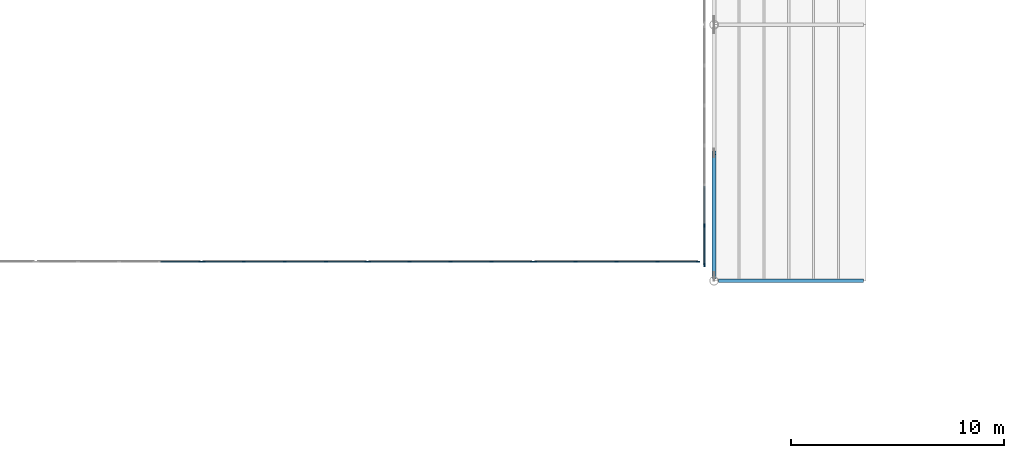
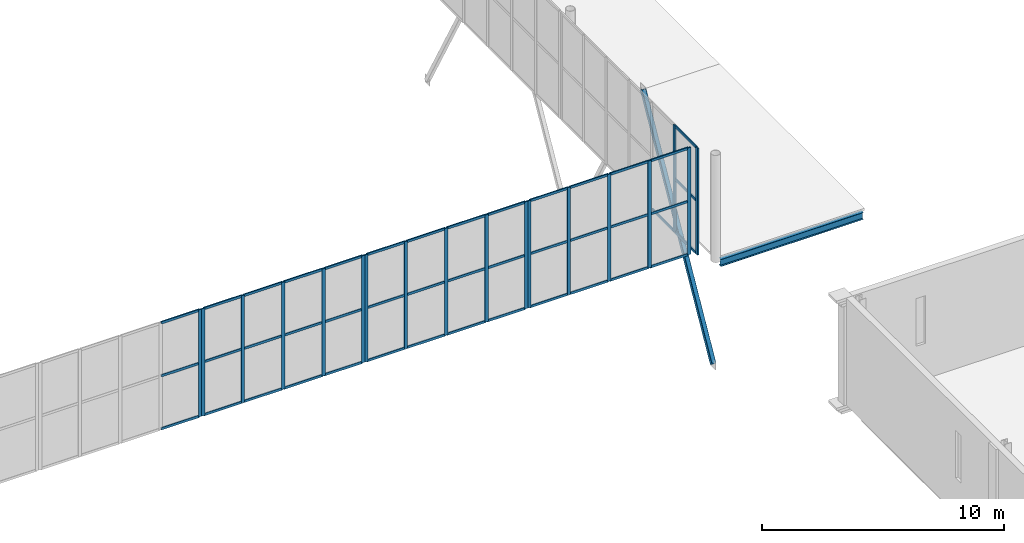
# One storey, part 53 of 170: 62 members, 1 beam, 5 elements without a shape of their own.
"""IFC4 building model written with IfcOpenShell, lengths in metres."""

from ifc_helpers import new_model, si_unit, direction, frame, origin, origin_2d, place, context, subcontext, project, spatial, rectangle, hollow_rectangle, i_section, extrude, material, layer, layer_set, material_profile, profile_set, type_object, element, aggregate, save


model = new_model("IFC4")

# Units and contexts
model_context = context("Model", 3, precision=1e-05, world=origin(), true_north=direction((0.0, 1.0)))
body_context = subcontext(model_context, "Body", "Model", "MODEL_VIEW")
ifc_project = project(units=[si_unit("LENGTHUNIT", "METRE"), si_unit("AREAUNIT", "SQUARE_METRE"), si_unit("VOLUMEUNIT", "CUBIC_METRE"), si_unit("PLANEANGLEUNIT", "RADIAN"), si_unit("MASSUNIT", "GRAM", prefix="KILO")], contexts=[model_context])

# Site, building, storey
site_placement = place(None, origin())
site = spatial("IfcSite", under=ifc_project, at=site_placement, CompositionType="ELEMENT")
building_placement = place(site_placement, origin())
building = spatial("IfcBuilding", under=site, at=building_placement, Name="Ravi Spectrum Wholesale Market", CompositionType="ELEMENT")
storey_placement = place(building_placement, frame((0.0, 0.0, 5.39990234375)))
storey = spatial("IfcBuildingStorey", under=building, at=storey_placement, Name="L01", CompositionType="ELEMENT", Elevation=5.39990234375)

# Beam
ifc_material_1 = material(Name="Steel S355", Category="steel")
ifc_material_profile_1 = material_profile(ifc_material_1, i_section(OverallWidth=0.169921875, OverallDepth=0.360107421875, WebThickness=0.008056640625, FlangeThickness=0.0126953125, at=origin_2d()))
ifc_profile_set_1 = profile_set([ifc_material_profile_1], Name="Steel S355")
beam_type = type_object("IfcBeamType", Name="IPE 360 beam", PredefinedType="BEAM", material=ifc_profile_set_1)
beam_placement = place(storey_placement, frame((198.203125, 78.0, -0.179931640625), z_axis=(1.0, 0.0, 0.0), x_axis=(0.0, 1.0, 0.0)))
element("IfcBeam", 1, at=beam_placement, inside=storey, type_object=beam_type, Name="H2-BM-L01-038", PredefinedType="BEAM", context=body_context, shape_type="SweptSolid", body=[
    extrude(i_section(OverallWidth=0.169921875, OverallDepth=0.360107421875, WebThickness=0.008056640625, FlangeThickness=0.0126953125, at=origin_2d()), origin(), (0.0, 0.0, 1.0), 6.796875),
])

# Curtain wall, members
ifc_material_2 = material(Name="Aluminium 6063-T6", Category="aluminium")
ifc_layer = layer(ifc_material_2, 0.14990234375)
ifc_layer_set = layer_set([ifc_layer], Name="Aluminium 6063-T6")
curtain_wall_type = type_object("IfcCurtainWallType", Name="Curtain wall 150", PredefinedType="NOTDEFINED", material=ifc_layer_set)
curtain_wall_1_placement = place(storey_placement, origin())
curtain_wall_1 = element("IfcCurtainWall", 2, at=curtain_wall_1_placement, inside=storey, type_object=curtain_wall_type, Name="H2-CW-L01-005", PredefinedType="NOTDEFINED")
ifc_material_3 = material(Name="Aluminium 6063-T6", Category="aluminium")
ifc_material_profile_2 = material_profile(ifc_material_3, rectangle(XDim=0.06005859375, YDim=0.159912109375, at=origin_2d()))
ifc_profile_set_2 = profile_set([ifc_material_profile_2], Name="Aluminium 6063-T6")
member_type_1 = type_object("IfcMemberType", Name="Mullion 60 x 160", PredefinedType="MULLION", material=ifc_profile_set_2)
member_1_placement = place(storey_placement, frame((197.546875, 78.739990234375, 0.0), z_axis=(0.0, 0.0, 1.0), x_axis=(-1.0, 0.0, 0.0)))
member_1 = element("IfcMember", 3, at=member_1_placement, type_object=member_type_1, Name="H2-CW-L01-005 mullion 1", PredefinedType="MULLION", context=body_context, shape_type="SweptSolid", body=[
    extrude(rectangle(XDim=0.06005859375, YDim=0.159912109375, at=origin_2d()), origin(), (0.0, 0.0, 1.0), 5.400146484375),
])
member_2_placement = place(storey_placement, frame((197.546875, 80.5849609375, 0.0), z_axis=(0.0, 0.0, 1.0), x_axis=(-1.0, 0.0, 0.0)))
member_2 = element("IfcMember", 4, at=member_2_placement, type_object=member_type_1, Name="H2-CW-L01-005 mullion 2", PredefinedType="MULLION", context=body_context, shape_type="SweptSolid", body=[
    extrude(rectangle(XDim=0.06005859375, YDim=0.159912109375, at=origin_2d()), origin(), (0.0, 0.0, 1.0), 5.400146484375),
])

# Curtain wall, member
curtain_wall_2_placement = place(storey_placement, origin())
curtain_wall_2 = element("IfcCurtainWall", 5, at=curtain_wall_2_placement, inside=storey, type_object=curtain_wall_type, Name="H2-CW-L01-011", PredefinedType="NOTDEFINED")
member_3_placement = place(storey_placement, frame((173.929931640625, 78.89990234375, 0.0), z_axis=(0.0, 0.0, 1.0), x_axis=(0.0, 1.0, 0.0)))
member_3 = element("IfcMember", 6, at=member_3_placement, type_object=member_type_1, Name="H2-CW-L01-011 mullion 5", PredefinedType="MULLION", context=body_context, shape_type="SweptSolid", body=[
    extrude(rectangle(XDim=0.06005859375, YDim=0.159912109375, at=origin_2d()), origin(), (0.0, 0.0, 1.0), 5.400146484375),
])

# Curtain wall, members
curtain_wall_3_placement = place(storey_placement, origin())
curtain_wall_3 = element("IfcCurtainWall", 7, at=curtain_wall_3_placement, inside=storey, type_object=curtain_wall_type, Name="H2-CW-L01-012", PredefinedType="NOTDEFINED")
member_4_placement = place(storey_placement, frame((174.070068359375, 78.89990234375, 0.0), z_axis=(0.0, 0.0, 1.0), x_axis=(0.0, 1.0, 0.0)))
member_4 = element("IfcMember", 8, at=member_4_placement, type_object=member_type_1, Name="H2-CW-L01-012 mullion 1", PredefinedType="MULLION", context=body_context, shape_type="SweptSolid", body=[
    extrude(rectangle(XDim=0.06005859375, YDim=0.159912109375, at=origin_2d()), origin(), (0.0, 0.0, 1.0), 5.400146484375),
])
member_5_placement = place(storey_placement, frame((175.963134765625, 78.89990234375, 0.0), z_axis=(0.0, 0.0, 1.0), x_axis=(0.0, 1.0, 0.0)))
member_5 = element("IfcMember", 9, at=member_5_placement, type_object=member_type_1, Name="H2-CW-L01-012 mullion 2", PredefinedType="MULLION", context=body_context, shape_type="SweptSolid", body=[
    extrude(rectangle(XDim=0.06005859375, YDim=0.159912109375, at=origin_2d()), origin(), (0.0, 0.0, 1.0), 5.400146484375),
])
member_6_placement = place(storey_placement, frame((177.88623046875, 78.89990234375, 0.0), z_axis=(0.0, 0.0, 1.0), x_axis=(0.0, 1.0, 0.0)))
member_6 = element("IfcMember", 10, at=member_6_placement, type_object=member_type_1, Name="H2-CW-L01-012 mullion 3", PredefinedType="MULLION", context=body_context, shape_type="SweptSolid", body=[
    extrude(rectangle(XDim=0.06005859375, YDim=0.159912109375, at=origin_2d()), origin(), (0.0, 0.0, 1.0), 5.400146484375),
])
member_7_placement = place(storey_placement, frame((179.80908203125, 78.89990234375, 0.0), z_axis=(0.0, 0.0, 1.0), x_axis=(0.0, 1.0, 0.0)))
member_7 = element("IfcMember", 11, at=member_7_placement, type_object=member_type_1, Name="H2-CW-L01-012 mullion 4", PredefinedType="MULLION", context=body_context, shape_type="SweptSolid", body=[
    extrude(rectangle(XDim=0.06005859375, YDim=0.159912109375, at=origin_2d()), origin(), (0.0, 0.0, 1.0), 5.400146484375),
])
member_8_placement = place(storey_placement, frame((181.7021484375, 78.89990234375, 0.0), z_axis=(0.0, 0.0, 1.0), x_axis=(0.0, 1.0, 0.0)))
member_8 = element("IfcMember", 12, at=member_8_placement, type_object=member_type_1, Name="H2-CW-L01-012 mullion 5", PredefinedType="MULLION", context=body_context, shape_type="SweptSolid", body=[
    extrude(rectangle(XDim=0.06005859375, YDim=0.159912109375, at=origin_2d()), origin(), (0.0, 0.0, 1.0), 5.400146484375),
])

curtain_wall_4_placement = place(storey_placement, origin())
curtain_wall_4 = element("IfcCurtainWall", 13, at=curtain_wall_4_placement, inside=storey, type_object=curtain_wall_type, Name="H2-CW-L01-013", PredefinedType="NOTDEFINED")
member_9_placement = place(storey_placement, frame((181.84228515625, 78.89990234375, 0.0), z_axis=(0.0, 0.0, 1.0), x_axis=(0.0, 1.0, 0.0)))
member_9 = element("IfcMember", 14, at=member_9_placement, type_object=member_type_1, Name="H2-CW-L01-013 mullion 1", PredefinedType="MULLION", context=body_context, shape_type="SweptSolid", body=[
    extrude(rectangle(XDim=0.06005859375, YDim=0.159912109375, at=origin_2d()), origin(), (0.0, 0.0, 1.0), 5.400146484375),
])
member_10_placement = place(storey_placement, frame((183.7353515625, 78.89990234375, 0.0), z_axis=(0.0, 0.0, 1.0), x_axis=(0.0, 1.0, 0.0)))
member_10 = element("IfcMember", 15, at=member_10_placement, type_object=member_type_1, Name="H2-CW-L01-013 mullion 2", PredefinedType="MULLION", context=body_context, shape_type="SweptSolid", body=[
    extrude(rectangle(XDim=0.06005859375, YDim=0.159912109375, at=origin_2d()), origin(), (0.0, 0.0, 1.0), 5.400146484375),
])
member_11_placement = place(storey_placement, frame((185.658447265625, 78.89990234375, 0.0), z_axis=(0.0, 0.0, 1.0), x_axis=(0.0, 1.0, 0.0)))
member_11 = element("IfcMember", 16, at=member_11_placement, type_object=member_type_1, Name="H2-CW-L01-013 mullion 3", PredefinedType="MULLION", context=body_context, shape_type="SweptSolid", body=[
    extrude(rectangle(XDim=0.06005859375, YDim=0.159912109375, at=origin_2d()), origin(), (0.0, 0.0, 1.0), 5.400146484375),
])
member_12_placement = place(storey_placement, frame((187.58154296875, 78.89990234375, 0.0), z_axis=(0.0, 0.0, 1.0), x_axis=(0.0, 1.0, 0.0)))
member_12 = element("IfcMember", 17, at=member_12_placement, type_object=member_type_1, Name="H2-CW-L01-013 mullion 4", PredefinedType="MULLION", context=body_context, shape_type="SweptSolid", body=[
    extrude(rectangle(XDim=0.06005859375, YDim=0.159912109375, at=origin_2d()), origin(), (0.0, 0.0, 1.0), 5.400146484375),
])
member_13_placement = place(storey_placement, frame((189.474609375, 78.89990234375, 0.0), z_axis=(0.0, 0.0, 1.0), x_axis=(0.0, 1.0, 0.0)))
member_13 = element("IfcMember", 18, at=member_13_placement, type_object=member_type_1, Name="H2-CW-L01-013 mullion 5", PredefinedType="MULLION", context=body_context, shape_type="SweptSolid", body=[
    extrude(rectangle(XDim=0.06005859375, YDim=0.159912109375, at=origin_2d()), origin(), (0.0, 0.0, 1.0), 5.400146484375),
])

curtain_wall_5_placement = place(storey_placement, origin())
curtain_wall_5 = element("IfcCurtainWall", 19, at=curtain_wall_5_placement, inside=storey, type_object=curtain_wall_type, Name="H2-CW-L01-014", PredefinedType="NOTDEFINED")
member_14_placement = place(storey_placement, frame((189.614501953125, 78.89990234375, 0.0), z_axis=(0.0, 0.0, 1.0), x_axis=(0.0, 1.0, 0.0)))
member_14 = element("IfcMember", 20, at=member_14_placement, type_object=member_type_1, Name="H2-CW-L01-014 mullion 1", PredefinedType="MULLION", context=body_context, shape_type="SweptSolid", body=[
    extrude(rectangle(XDim=0.06005859375, YDim=0.159912109375, at=origin_2d()), origin(), (0.0, 0.0, 1.0), 5.400146484375),
])
member_15_placement = place(storey_placement, frame((191.507568359375, 78.89990234375, 0.0), z_axis=(0.0, 0.0, 1.0), x_axis=(0.0, 1.0, 0.0)))
member_15 = element("IfcMember", 21, at=member_15_placement, type_object=member_type_1, Name="H2-CW-L01-014 mullion 2", PredefinedType="MULLION", context=body_context, shape_type="SweptSolid", body=[
    extrude(rectangle(XDim=0.06005859375, YDim=0.159912109375, at=origin_2d()), origin(), (0.0, 0.0, 1.0), 5.400146484375),
])
member_16_placement = place(storey_placement, frame((193.4306640625, 78.89990234375, 0.0), z_axis=(0.0, 0.0, 1.0), x_axis=(0.0, 1.0, 0.0)))
member_16 = element("IfcMember", 22, at=member_16_placement, type_object=member_type_1, Name="H2-CW-L01-014 mullion 3", PredefinedType="MULLION", context=body_context, shape_type="SweptSolid", body=[
    extrude(rectangle(XDim=0.06005859375, YDim=0.159912109375, at=origin_2d()), origin(), (0.0, 0.0, 1.0), 5.400146484375),
])
member_17_placement = place(storey_placement, frame((195.353759765625, 78.89990234375, 0.0), z_axis=(0.0, 0.0, 1.0), x_axis=(0.0, 1.0, 0.0)))
member_17 = element("IfcMember", 23, at=member_17_placement, type_object=member_type_1, Name="H2-CW-L01-014 mullion 4", PredefinedType="MULLION", context=body_context, shape_type="SweptSolid", body=[
    extrude(rectangle(XDim=0.06005859375, YDim=0.159912109375, at=origin_2d()), origin(), (0.0, 0.0, 1.0), 5.400146484375),
])
member_18_placement = place(storey_placement, frame((197.246826171875, 78.89990234375, 0.0), z_axis=(0.0, 0.0, 1.0), x_axis=(0.0, 1.0, 0.0)))
member_18 = element("IfcMember", 24, at=member_18_placement, type_object=member_type_1, Name="H2-CW-L01-014 mullion 5", PredefinedType="MULLION", context=body_context, shape_type="SweptSolid", body=[
    extrude(rectangle(XDim=0.06005859375, YDim=0.159912109375, at=origin_2d()), origin(), (0.0, 0.0, 1.0), 5.400146484375),
])

# Member
ifc_material_4 = material(Name="Steel S355", Category="steel")
ifc_material_profile_3 = material_profile(ifc_material_4, hollow_rectangle(XDim=0.199951171875, YDim=0.199951171875, WallThickness=0.008056640625, InnerFilletRadius=0.008056640625, OuterFilletRadius=0.01611328125, at=origin_2d()))
ifc_profile_set_3 = profile_set([ifc_material_profile_3], Name="Steel S355")
member_type_2 = type_object("IfcMemberType", Name="SHS 200x200x8 brace", PredefinedType="BRACE", material=ifc_profile_set_3)
member_19_placement = place(storey_placement, frame((198.0, 78.203125, -5.3505859375), z_axis=(0.0, 0.489534756708, 0.871983785385), x_axis=(-1.0, 0.0, 0.0)))
element("IfcMember", 25, at=member_19_placement, inside=storey, type_object=member_type_2, Name="H2-MB-L01-005", PredefinedType="BRACE", context=body_context, shape_type="SweptSolid", body=[
    extrude(hollow_rectangle(XDim=0.199951171875, YDim=0.199951171875, WallThickness=0.008056640625, InnerFilletRadius=0.008056640625, OuterFilletRadius=0.01611328125, at=origin_2d()), origin(), (0.0, 0.0, 1.0), 11.841552734375),
])

ifc_material_5 = material(Name="Aluminium 6063-T6", Category="aluminium")
ifc_material_profile_4 = material_profile(ifc_material_5, rectangle(XDim=0.06005859375, YDim=0.1201171875, at=origin_2d()))
ifc_profile_set_4 = profile_set([ifc_material_profile_4], Name="Aluminium 6063-T6")
member_type_3 = type_object("IfcMemberType", Name="Transom 60 x 120", PredefinedType="USERDEFINED", material=ifc_profile_set_4)
member_20_placement = place(storey_placement, frame((197.546875, 78.77001953125, 0.030029296875), z_axis=(0.0, 1.0, 0.0), x_axis=(-1.0, 0.0, 0.0)))
member_20 = element("IfcMember", 26, at=member_20_placement, type_object=member_type_3, Name="H2-CW-L01-005 transom 1.1", ObjectType="TRANSOM", PredefinedType="USERDEFINED", context=body_context, shape_type="SweptSolid", body=[
    extrude(rectangle(XDim=0.06005859375, YDim=0.1201171875, at=origin_2d()), origin(), (0.0, 0.0, 1.0), 1.784912109375),
])

member_21_placement = place(storey_placement, frame((197.546875, 78.77001953125, 2.7001953125), z_axis=(0.0, 1.0, 0.0), x_axis=(-1.0, 0.0, 0.0)))
member_21 = element("IfcMember", 27, at=member_21_placement, type_object=member_type_3, Name="H2-CW-L01-005 transom 1.2", ObjectType="TRANSOM", PredefinedType="USERDEFINED", context=body_context, shape_type="SweptSolid", body=[
    extrude(rectangle(XDim=0.06005859375, YDim=0.1201171875, at=origin_2d()), origin(), (0.0, 0.0, 1.0), 1.784912109375),
])

member_22_placement = place(storey_placement, frame((197.546875, 78.77001953125, 5.3701171875), z_axis=(0.0, 1.0, 0.0), x_axis=(-1.0, 0.0, 0.0)))
member_22 = element("IfcMember", 28, at=member_22_placement, type_object=member_type_3, Name="H2-CW-L01-005 transom 1.3", ObjectType="TRANSOM", PredefinedType="USERDEFINED", context=body_context, shape_type="SweptSolid", body=[
    extrude(rectangle(XDim=0.06005859375, YDim=0.1201171875, at=origin_2d()), origin(), (0.0, 0.0, 1.0), 1.784912109375),
])

member_23_placement = place(storey_placement, frame((197.546875, 80.614990234375, 0.030029296875), z_axis=(0.0, 1.0, 0.0), x_axis=(-1.0, 0.0, 0.0)))
member_23 = element("IfcMember", 29, at=member_23_placement, type_object=member_type_3, Name="H2-CW-L01-005 transom 2.1", ObjectType="TRANSOM", PredefinedType="USERDEFINED", context=body_context, shape_type="SweptSolid", body=[
    extrude(rectangle(XDim=0.06005859375, YDim=0.1201171875, at=origin_2d()), origin(), (0.0, 0.0, 1.0), 1.81494140625),
])

aggregate(curtain_wall_1, [member_1, member_2, member_20, member_21, member_22, member_23])

member_24_placement = place(storey_placement, frame((172.06689453125, 78.89990234375, 0.030029296875), z_axis=(1.0, 0.0, 0.0), x_axis=(0.0, 1.0, 0.0)))
member_24 = element("IfcMember", 30, at=member_24_placement, type_object=member_type_3, Name="H2-CW-L01-011 transom 4.1", ObjectType="TRANSOM", PredefinedType="USERDEFINED", context=body_context, shape_type="SweptSolid", body=[
    extrude(rectangle(XDim=0.06005859375, YDim=0.1201171875, at=origin_2d()), origin(), (0.0, 0.0, 1.0), 1.8330078125),
])

member_25_placement = place(storey_placement, frame((172.06689453125, 78.89990234375, 2.7001953125), z_axis=(1.0, 0.0, 0.0), x_axis=(0.0, 1.0, 0.0)))
member_25 = element("IfcMember", 31, at=member_25_placement, type_object=member_type_3, Name="H2-CW-L01-011 transom 4.2", ObjectType="TRANSOM", PredefinedType="USERDEFINED", context=body_context, shape_type="SweptSolid", body=[
    extrude(rectangle(XDim=0.06005859375, YDim=0.1201171875, at=origin_2d()), origin(), (0.0, 0.0, 1.0), 1.8330078125),
])

member_26_placement = place(storey_placement, frame((172.06689453125, 78.89990234375, 5.3701171875), z_axis=(1.0, 0.0, 0.0), x_axis=(0.0, 1.0, 0.0)))
member_26 = element("IfcMember", 32, at=member_26_placement, type_object=member_type_3, Name="H2-CW-L01-011 transom 4.3", ObjectType="TRANSOM", PredefinedType="USERDEFINED", context=body_context, shape_type="SweptSolid", body=[
    extrude(rectangle(XDim=0.06005859375, YDim=0.1201171875, at=origin_2d()), origin(), (0.0, 0.0, 1.0), 1.8330078125),
])

aggregate(curtain_wall_2, [member_3, member_24, member_25, member_26])

member_27_placement = place(storey_placement, frame((174.10009765625, 78.89990234375, 0.030029296875), z_axis=(1.0, 0.0, 0.0), x_axis=(0.0, 1.0, 0.0)))
member_27 = element("IfcMember", 33, at=member_27_placement, type_object=member_type_3, Name="H2-CW-L01-012 transom 1.1", ObjectType="TRANSOM", PredefinedType="USERDEFINED", context=body_context, shape_type="SweptSolid", body=[
    extrude(rectangle(XDim=0.06005859375, YDim=0.1201171875, at=origin_2d()), origin(), (0.0, 0.0, 1.0), 1.8330078125),
])

member_28_placement = place(storey_placement, frame((174.10009765625, 78.89990234375, 2.7001953125), z_axis=(1.0, 0.0, 0.0), x_axis=(0.0, 1.0, 0.0)))
member_28 = element("IfcMember", 34, at=member_28_placement, type_object=member_type_3, Name="H2-CW-L01-012 transom 1.2", ObjectType="TRANSOM", PredefinedType="USERDEFINED", context=body_context, shape_type="SweptSolid", body=[
    extrude(rectangle(XDim=0.06005859375, YDim=0.1201171875, at=origin_2d()), origin(), (0.0, 0.0, 1.0), 1.8330078125),
])

member_29_placement = place(storey_placement, frame((174.10009765625, 78.89990234375, 5.3701171875), z_axis=(1.0, 0.0, 0.0), x_axis=(0.0, 1.0, 0.0)))
member_29 = element("IfcMember", 35, at=member_29_placement, type_object=member_type_3, Name="H2-CW-L01-012 transom 1.3", ObjectType="TRANSOM", PredefinedType="USERDEFINED", context=body_context, shape_type="SweptSolid", body=[
    extrude(rectangle(XDim=0.06005859375, YDim=0.1201171875, at=origin_2d()), origin(), (0.0, 0.0, 1.0), 1.8330078125),
])

member_30_placement = place(storey_placement, frame((175.9931640625, 78.89990234375, 0.030029296875), z_axis=(1.0, 0.0, 0.0), x_axis=(0.0, 1.0, 0.0)))
member_30 = element("IfcMember", 36, at=member_30_placement, type_object=member_type_3, Name="H2-CW-L01-012 transom 2.1", ObjectType="TRANSOM", PredefinedType="USERDEFINED", context=body_context, shape_type="SweptSolid", body=[
    extrude(rectangle(XDim=0.06005859375, YDim=0.1201171875, at=origin_2d()), origin(), (0.0, 0.0, 1.0), 1.863037109375),
])

member_31_placement = place(storey_placement, frame((175.9931640625, 78.89990234375, 2.7001953125), z_axis=(1.0, 0.0, 0.0), x_axis=(0.0, 1.0, 0.0)))
member_31 = element("IfcMember", 37, at=member_31_placement, type_object=member_type_3, Name="H2-CW-L01-012 transom 2.2", ObjectType="TRANSOM", PredefinedType="USERDEFINED", context=body_context, shape_type="SweptSolid", body=[
    extrude(rectangle(XDim=0.06005859375, YDim=0.1201171875, at=origin_2d()), origin(), (0.0, 0.0, 1.0), 1.863037109375),
])

member_32_placement = place(storey_placement, frame((175.9931640625, 78.89990234375, 5.3701171875), z_axis=(1.0, 0.0, 0.0), x_axis=(0.0, 1.0, 0.0)))
member_32 = element("IfcMember", 38, at=member_32_placement, type_object=member_type_3, Name="H2-CW-L01-012 transom 2.3", ObjectType="TRANSOM", PredefinedType="USERDEFINED", context=body_context, shape_type="SweptSolid", body=[
    extrude(rectangle(XDim=0.06005859375, YDim=0.1201171875, at=origin_2d()), origin(), (0.0, 0.0, 1.0), 1.863037109375),
])

member_33_placement = place(storey_placement, frame((177.916015625, 78.89990234375, 0.030029296875), z_axis=(1.0, 0.0, 0.0), x_axis=(0.0, 1.0, 0.0)))
member_33 = element("IfcMember", 39, at=member_33_placement, type_object=member_type_3, Name="H2-CW-L01-012 transom 3.1", ObjectType="TRANSOM", PredefinedType="USERDEFINED", context=body_context, shape_type="SweptSolid", body=[
    extrude(rectangle(XDim=0.06005859375, YDim=0.1201171875, at=origin_2d()), origin(), (0.0, 0.0, 1.0), 1.86328125),
])

member_34_placement = place(storey_placement, frame((177.916015625, 78.89990234375, 2.7001953125), z_axis=(1.0, 0.0, 0.0), x_axis=(0.0, 1.0, 0.0)))
member_34 = element("IfcMember", 40, at=member_34_placement, type_object=member_type_3, Name="H2-CW-L01-012 transom 3.2", ObjectType="TRANSOM", PredefinedType="USERDEFINED", context=body_context, shape_type="SweptSolid", body=[
    extrude(rectangle(XDim=0.06005859375, YDim=0.1201171875, at=origin_2d()), origin(), (0.0, 0.0, 1.0), 1.86328125),
])

member_35_placement = place(storey_placement, frame((177.916015625, 78.89990234375, 5.3701171875), z_axis=(1.0, 0.0, 0.0), x_axis=(0.0, 1.0, 0.0)))
member_35 = element("IfcMember", 41, at=member_35_placement, type_object=member_type_3, Name="H2-CW-L01-012 transom 3.3", ObjectType="TRANSOM", PredefinedType="USERDEFINED", context=body_context, shape_type="SweptSolid", body=[
    extrude(rectangle(XDim=0.06005859375, YDim=0.1201171875, at=origin_2d()), origin(), (0.0, 0.0, 1.0), 1.86328125),
])

member_36_placement = place(storey_placement, frame((179.839111328125, 78.89990234375, 0.030029296875), z_axis=(1.0, 0.0, 0.0), x_axis=(0.0, 1.0, 0.0)))
member_36 = element("IfcMember", 42, at=member_36_placement, type_object=member_type_3, Name="H2-CW-L01-012 transom 4.1", ObjectType="TRANSOM", PredefinedType="USERDEFINED", context=body_context, shape_type="SweptSolid", body=[
    extrude(rectangle(XDim=0.06005859375, YDim=0.1201171875, at=origin_2d()), origin(), (0.0, 0.0, 1.0), 1.833251953125),
])

member_37_placement = place(storey_placement, frame((179.839111328125, 78.89990234375, 2.7001953125), z_axis=(1.0, 0.0, 0.0), x_axis=(0.0, 1.0, 0.0)))
member_37 = element("IfcMember", 43, at=member_37_placement, type_object=member_type_3, Name="H2-CW-L01-012 transom 4.2", ObjectType="TRANSOM", PredefinedType="USERDEFINED", context=body_context, shape_type="SweptSolid", body=[
    extrude(rectangle(XDim=0.06005859375, YDim=0.1201171875, at=origin_2d()), origin(), (0.0, 0.0, 1.0), 1.833251953125),
])

member_38_placement = place(storey_placement, frame((179.839111328125, 78.89990234375, 5.3701171875), z_axis=(1.0, 0.0, 0.0), x_axis=(0.0, 1.0, 0.0)))
member_38 = element("IfcMember", 44, at=member_38_placement, type_object=member_type_3, Name="H2-CW-L01-012 transom 4.3", ObjectType="TRANSOM", PredefinedType="USERDEFINED", context=body_context, shape_type="SweptSolid", body=[
    extrude(rectangle(XDim=0.06005859375, YDim=0.1201171875, at=origin_2d()), origin(), (0.0, 0.0, 1.0), 1.833251953125),
])

aggregate(curtain_wall_3, [member_4, member_5, member_6, member_7, member_8, member_27, member_28, member_29, member_30, member_31, member_32, member_33, member_34, member_35, member_36, member_37, member_38])

member_39_placement = place(storey_placement, frame((181.872314453125, 78.89990234375, 0.030029296875), z_axis=(1.0, 0.0, 0.0), x_axis=(0.0, 1.0, 0.0)))
member_39 = element("IfcMember", 45, at=member_39_placement, type_object=member_type_3, Name="H2-CW-L01-013 transom 1.1", ObjectType="TRANSOM", PredefinedType="USERDEFINED", context=body_context, shape_type="SweptSolid", body=[
    extrude(rectangle(XDim=0.06005859375, YDim=0.1201171875, at=origin_2d()), origin(), (0.0, 0.0, 1.0), 1.8330078125),
])

member_40_placement = place(storey_placement, frame((181.872314453125, 78.89990234375, 2.7001953125), z_axis=(1.0, 0.0, 0.0), x_axis=(0.0, 1.0, 0.0)))
member_40 = element("IfcMember", 46, at=member_40_placement, type_object=member_type_3, Name="H2-CW-L01-013 transom 1.2", ObjectType="TRANSOM", PredefinedType="USERDEFINED", context=body_context, shape_type="SweptSolid", body=[
    extrude(rectangle(XDim=0.06005859375, YDim=0.1201171875, at=origin_2d()), origin(), (0.0, 0.0, 1.0), 1.8330078125),
])

member_41_placement = place(storey_placement, frame((181.872314453125, 78.89990234375, 5.3701171875), z_axis=(1.0, 0.0, 0.0), x_axis=(0.0, 1.0, 0.0)))
member_41 = element("IfcMember", 47, at=member_41_placement, type_object=member_type_3, Name="H2-CW-L01-013 transom 1.3", ObjectType="TRANSOM", PredefinedType="USERDEFINED", context=body_context, shape_type="SweptSolid", body=[
    extrude(rectangle(XDim=0.06005859375, YDim=0.1201171875, at=origin_2d()), origin(), (0.0, 0.0, 1.0), 1.8330078125),
])

member_42_placement = place(storey_placement, frame((183.765380859375, 78.89990234375, 0.030029296875), z_axis=(1.0, 0.0, 0.0), x_axis=(0.0, 1.0, 0.0)))
member_42 = element("IfcMember", 48, at=member_42_placement, type_object=member_type_3, Name="H2-CW-L01-013 transom 2.1", ObjectType="TRANSOM", PredefinedType="USERDEFINED", context=body_context, shape_type="SweptSolid", body=[
    extrude(rectangle(XDim=0.06005859375, YDim=0.1201171875, at=origin_2d()), origin(), (0.0, 0.0, 1.0), 1.863037109375),
])

member_43_placement = place(storey_placement, frame((183.765380859375, 78.89990234375, 2.7001953125), z_axis=(1.0, 0.0, 0.0), x_axis=(0.0, 1.0, 0.0)))
member_43 = element("IfcMember", 49, at=member_43_placement, type_object=member_type_3, Name="H2-CW-L01-013 transom 2.2", ObjectType="TRANSOM", PredefinedType="USERDEFINED", context=body_context, shape_type="SweptSolid", body=[
    extrude(rectangle(XDim=0.06005859375, YDim=0.1201171875, at=origin_2d()), origin(), (0.0, 0.0, 1.0), 1.863037109375),
])

member_44_placement = place(storey_placement, frame((183.765380859375, 78.89990234375, 5.3701171875), z_axis=(1.0, 0.0, 0.0), x_axis=(0.0, 1.0, 0.0)))
member_44 = element("IfcMember", 50, at=member_44_placement, type_object=member_type_3, Name="H2-CW-L01-013 transom 2.3", ObjectType="TRANSOM", PredefinedType="USERDEFINED", context=body_context, shape_type="SweptSolid", body=[
    extrude(rectangle(XDim=0.06005859375, YDim=0.1201171875, at=origin_2d()), origin(), (0.0, 0.0, 1.0), 1.863037109375),
])

member_45_placement = place(storey_placement, frame((185.6884765625, 78.89990234375, 0.030029296875), z_axis=(1.0, 0.0, 0.0), x_axis=(0.0, 1.0, 0.0)))
member_45 = element("IfcMember", 51, at=member_45_placement, type_object=member_type_3, Name="H2-CW-L01-013 transom 3.1", ObjectType="TRANSOM", PredefinedType="USERDEFINED", context=body_context, shape_type="SweptSolid", body=[
    extrude(rectangle(XDim=0.06005859375, YDim=0.1201171875, at=origin_2d()), origin(), (0.0, 0.0, 1.0), 1.863037109375),
])

member_46_placement = place(storey_placement, frame((185.6884765625, 78.89990234375, 2.7001953125), z_axis=(1.0, 0.0, 0.0), x_axis=(0.0, 1.0, 0.0)))
member_46 = element("IfcMember", 52, at=member_46_placement, type_object=member_type_3, Name="H2-CW-L01-013 transom 3.2", ObjectType="TRANSOM", PredefinedType="USERDEFINED", context=body_context, shape_type="SweptSolid", body=[
    extrude(rectangle(XDim=0.06005859375, YDim=0.1201171875, at=origin_2d()), origin(), (0.0, 0.0, 1.0), 1.863037109375),
])

member_47_placement = place(storey_placement, frame((185.6884765625, 78.89990234375, 5.3701171875), z_axis=(1.0, 0.0, 0.0), x_axis=(0.0, 1.0, 0.0)))
member_47 = element("IfcMember", 53, at=member_47_placement, type_object=member_type_3, Name="H2-CW-L01-013 transom 3.3", ObjectType="TRANSOM", PredefinedType="USERDEFINED", context=body_context, shape_type="SweptSolid", body=[
    extrude(rectangle(XDim=0.06005859375, YDim=0.1201171875, at=origin_2d()), origin(), (0.0, 0.0, 1.0), 1.863037109375),
])

member_48_placement = place(storey_placement, frame((187.611572265625, 78.89990234375, 0.030029296875), z_axis=(1.0, 0.0, 0.0), x_axis=(0.0, 1.0, 0.0)))
member_48 = element("IfcMember", 54, at=member_48_placement, type_object=member_type_3, Name="H2-CW-L01-013 transom 4.1", ObjectType="TRANSOM", PredefinedType="USERDEFINED", context=body_context, shape_type="SweptSolid", body=[
    extrude(rectangle(XDim=0.06005859375, YDim=0.1201171875, at=origin_2d()), origin(), (0.0, 0.0, 1.0), 1.8330078125),
])

member_49_placement = place(storey_placement, frame((187.611572265625, 78.89990234375, 2.7001953125), z_axis=(1.0, 0.0, 0.0), x_axis=(0.0, 1.0, 0.0)))
member_49 = element("IfcMember", 55, at=member_49_placement, type_object=member_type_3, Name="H2-CW-L01-013 transom 4.2", ObjectType="TRANSOM", PredefinedType="USERDEFINED", context=body_context, shape_type="SweptSolid", body=[
    extrude(rectangle(XDim=0.06005859375, YDim=0.1201171875, at=origin_2d()), origin(), (0.0, 0.0, 1.0), 1.8330078125),
])

member_50_placement = place(storey_placement, frame((187.611572265625, 78.89990234375, 5.3701171875), z_axis=(1.0, 0.0, 0.0), x_axis=(0.0, 1.0, 0.0)))
member_50 = element("IfcMember", 56, at=member_50_placement, type_object=member_type_3, Name="H2-CW-L01-013 transom 4.3", ObjectType="TRANSOM", PredefinedType="USERDEFINED", context=body_context, shape_type="SweptSolid", body=[
    extrude(rectangle(XDim=0.06005859375, YDim=0.1201171875, at=origin_2d()), origin(), (0.0, 0.0, 1.0), 1.8330078125),
])

aggregate(curtain_wall_4, [member_9, member_10, member_11, member_12, member_13, member_39, member_40, member_41, member_42, member_43, member_44, member_45, member_46, member_47, member_48, member_49, member_50])

member_51_placement = place(storey_placement, frame((189.64453125, 78.89990234375, 0.030029296875), z_axis=(1.0, 0.0, 0.0), x_axis=(0.0, 1.0, 0.0)))
member_51 = element("IfcMember", 57, at=member_51_placement, type_object=member_type_3, Name="H2-CW-L01-014 transom 1.1", ObjectType="TRANSOM", PredefinedType="USERDEFINED", context=body_context, shape_type="SweptSolid", body=[
    extrude(rectangle(XDim=0.06005859375, YDim=0.1201171875, at=origin_2d()), origin(), (0.0, 0.0, 1.0), 1.8330078125),
])

member_52_placement = place(storey_placement, frame((189.64453125, 78.89990234375, 2.7001953125), z_axis=(1.0, 0.0, 0.0), x_axis=(0.0, 1.0, 0.0)))
member_52 = element("IfcMember", 58, at=member_52_placement, type_object=member_type_3, Name="H2-CW-L01-014 transom 1.2", ObjectType="TRANSOM", PredefinedType="USERDEFINED", context=body_context, shape_type="SweptSolid", body=[
    extrude(rectangle(XDim=0.06005859375, YDim=0.1201171875, at=origin_2d()), origin(), (0.0, 0.0, 1.0), 1.8330078125),
])

member_53_placement = place(storey_placement, frame((189.64453125, 78.89990234375, 5.3701171875), z_axis=(1.0, 0.0, 0.0), x_axis=(0.0, 1.0, 0.0)))
member_53 = element("IfcMember", 59, at=member_53_placement, type_object=member_type_3, Name="H2-CW-L01-014 transom 1.3", ObjectType="TRANSOM", PredefinedType="USERDEFINED", context=body_context, shape_type="SweptSolid", body=[
    extrude(rectangle(XDim=0.06005859375, YDim=0.1201171875, at=origin_2d()), origin(), (0.0, 0.0, 1.0), 1.8330078125),
])

member_54_placement = place(storey_placement, frame((191.53759765625, 78.89990234375, 0.030029296875), z_axis=(1.0, 0.0, 0.0), x_axis=(0.0, 1.0, 0.0)))
member_54 = element("IfcMember", 60, at=member_54_placement, type_object=member_type_3, Name="H2-CW-L01-014 transom 2.1", ObjectType="TRANSOM", PredefinedType="USERDEFINED", context=body_context, shape_type="SweptSolid", body=[
    extrude(rectangle(XDim=0.06005859375, YDim=0.1201171875, at=origin_2d()), origin(), (0.0, 0.0, 1.0), 1.863037109375),
])

member_55_placement = place(storey_placement, frame((191.53759765625, 78.89990234375, 2.7001953125), z_axis=(1.0, 0.0, 0.0), x_axis=(0.0, 1.0, 0.0)))
member_55 = element("IfcMember", 61, at=member_55_placement, type_object=member_type_3, Name="H2-CW-L01-014 transom 2.2", ObjectType="TRANSOM", PredefinedType="USERDEFINED", context=body_context, shape_type="SweptSolid", body=[
    extrude(rectangle(XDim=0.06005859375, YDim=0.1201171875, at=origin_2d()), origin(), (0.0, 0.0, 1.0), 1.863037109375),
])

member_56_placement = place(storey_placement, frame((191.53759765625, 78.89990234375, 5.3701171875), z_axis=(1.0, 0.0, 0.0), x_axis=(0.0, 1.0, 0.0)))
member_56 = element("IfcMember", 62, at=member_56_placement, type_object=member_type_3, Name="H2-CW-L01-014 transom 2.3", ObjectType="TRANSOM", PredefinedType="USERDEFINED", context=body_context, shape_type="SweptSolid", body=[
    extrude(rectangle(XDim=0.06005859375, YDim=0.1201171875, at=origin_2d()), origin(), (0.0, 0.0, 1.0), 1.863037109375),
])

member_57_placement = place(storey_placement, frame((193.460693359375, 78.89990234375, 0.030029296875), z_axis=(1.0, 0.0, 0.0), x_axis=(0.0, 1.0, 0.0)))
member_57 = element("IfcMember", 63, at=member_57_placement, type_object=member_type_3, Name="H2-CW-L01-014 transom 3.1", ObjectType="TRANSOM", PredefinedType="USERDEFINED", context=body_context, shape_type="SweptSolid", body=[
    extrude(rectangle(XDim=0.06005859375, YDim=0.1201171875, at=origin_2d()), origin(), (0.0, 0.0, 1.0), 1.863037109375),
])

member_58_placement = place(storey_placement, frame((193.460693359375, 78.89990234375, 2.7001953125), z_axis=(1.0, 0.0, 0.0), x_axis=(0.0, 1.0, 0.0)))
member_58 = element("IfcMember", 64, at=member_58_placement, type_object=member_type_3, Name="H2-CW-L01-014 transom 3.2", ObjectType="TRANSOM", PredefinedType="USERDEFINED", context=body_context, shape_type="SweptSolid", body=[
    extrude(rectangle(XDim=0.06005859375, YDim=0.1201171875, at=origin_2d()), origin(), (0.0, 0.0, 1.0), 1.863037109375),
])

member_59_placement = place(storey_placement, frame((193.460693359375, 78.89990234375, 5.3701171875), z_axis=(1.0, 0.0, 0.0), x_axis=(0.0, 1.0, 0.0)))
member_59 = element("IfcMember", 65, at=member_59_placement, type_object=member_type_3, Name="H2-CW-L01-014 transom 3.3", ObjectType="TRANSOM", PredefinedType="USERDEFINED", context=body_context, shape_type="SweptSolid", body=[
    extrude(rectangle(XDim=0.06005859375, YDim=0.1201171875, at=origin_2d()), origin(), (0.0, 0.0, 1.0), 1.863037109375),
])

member_60_placement = place(storey_placement, frame((195.3837890625, 78.89990234375, 0.030029296875), z_axis=(1.0, 0.0, 0.0), x_axis=(0.0, 1.0, 0.0)))
member_60 = element("IfcMember", 66, at=member_60_placement, type_object=member_type_3, Name="H2-CW-L01-014 transom 4.1", ObjectType="TRANSOM", PredefinedType="USERDEFINED", context=body_context, shape_type="SweptSolid", body=[
    extrude(rectangle(XDim=0.06005859375, YDim=0.1201171875, at=origin_2d()), origin(), (0.0, 0.0, 1.0), 1.8330078125),
])

member_61_placement = place(storey_placement, frame((195.3837890625, 78.89990234375, 2.7001953125), z_axis=(1.0, 0.0, 0.0), x_axis=(0.0, 1.0, 0.0)))
member_61 = element("IfcMember", 67, at=member_61_placement, type_object=member_type_3, Name="H2-CW-L01-014 transom 4.2", ObjectType="TRANSOM", PredefinedType="USERDEFINED", context=body_context, shape_type="SweptSolid", body=[
    extrude(rectangle(XDim=0.06005859375, YDim=0.1201171875, at=origin_2d()), origin(), (0.0, 0.0, 1.0), 1.8330078125),
])

member_62_placement = place(storey_placement, frame((195.3837890625, 78.89990234375, 5.3701171875), z_axis=(1.0, 0.0, 0.0), x_axis=(0.0, 1.0, 0.0)))
member_62 = element("IfcMember", 68, at=member_62_placement, type_object=member_type_3, Name="H2-CW-L01-014 transom 4.3", ObjectType="TRANSOM", PredefinedType="USERDEFINED", context=body_context, shape_type="SweptSolid", body=[
    extrude(rectangle(XDim=0.06005859375, YDim=0.1201171875, at=origin_2d()), origin(), (0.0, 0.0, 1.0), 1.8330078125),
])

aggregate(curtain_wall_5, [member_14, member_15, member_16, member_17, member_18, member_51, member_52, member_53, member_54, member_55, member_56, member_57, member_58, member_59, member_60, member_61, member_62])

save(model, "model.ifc")
